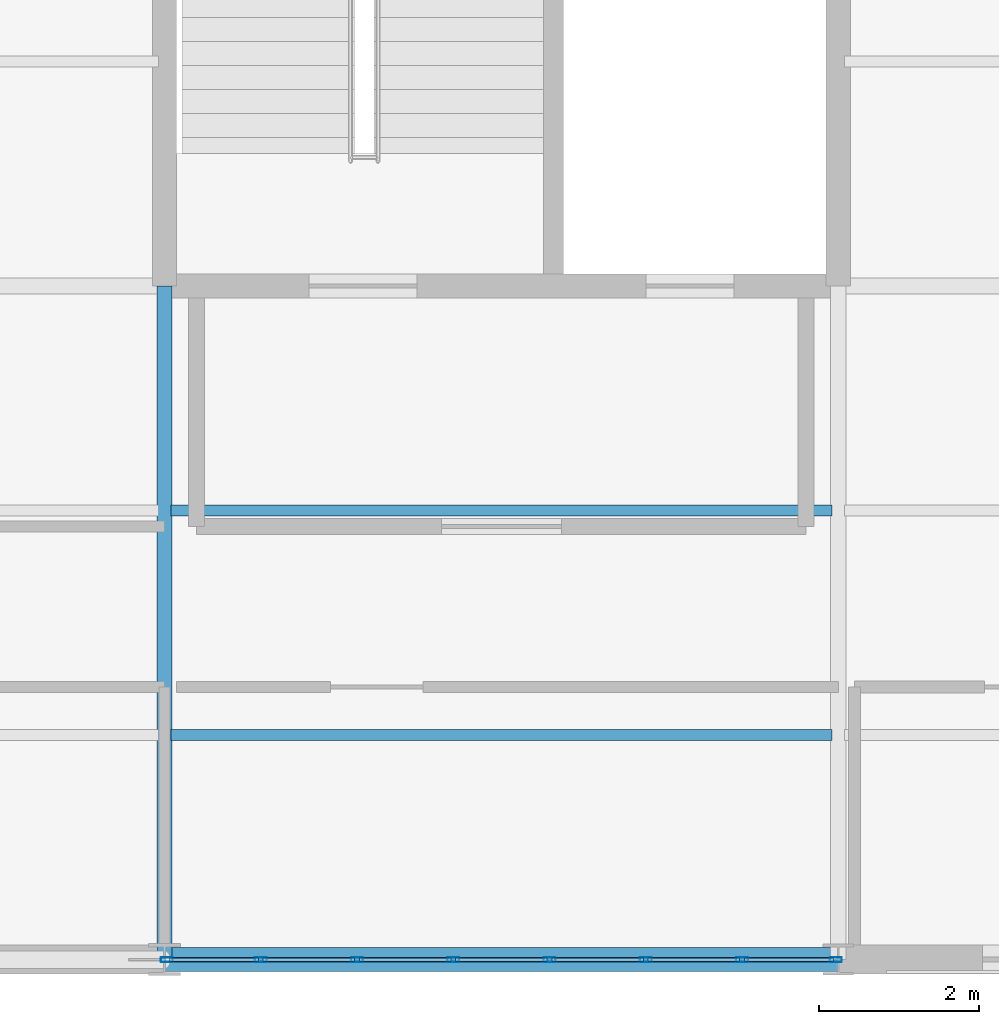
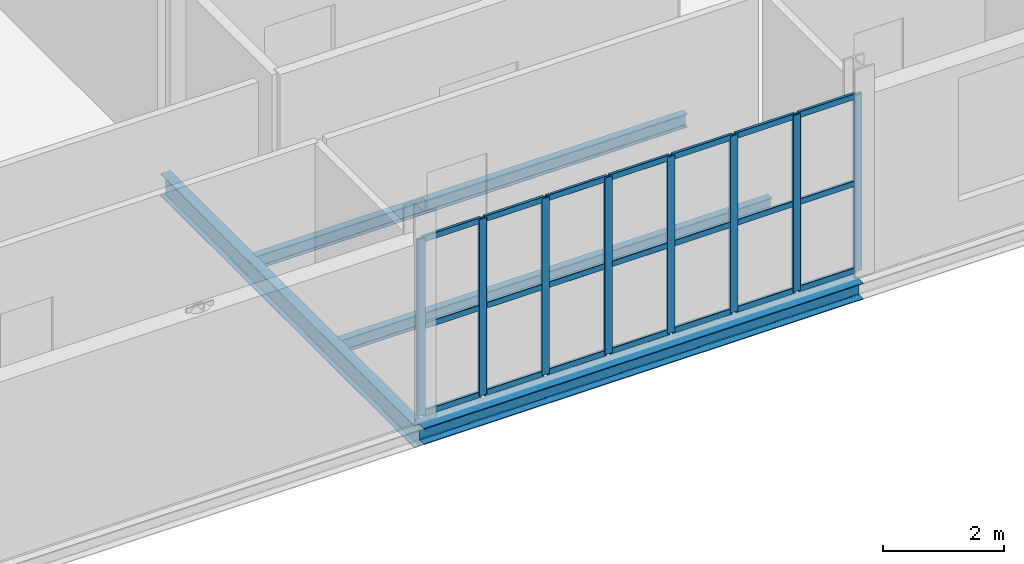
# One storey, part 34 of 163: 29 members, 4 beams, 1 element without a shape of its own.
"""IFC4 building model written with IfcOpenShell, lengths in metres."""

from ifc_helpers import new_model, si_unit, direction, frame, origin, origin_2d, place, context, subcontext, project, spatial, hollow_rectangle, i_section, extrude, material, layer, layer_set, material_profile, profile_set, type_object, element, aggregate, save


model = new_model("IFC4")

# Units and contexts
model_context = context("Model", 3, precision=1e-05, world=origin(), true_north=direction((0.0, 1.0)))
body_context = subcontext(model_context, "Body", "Model", "MODEL_VIEW")
ifc_project = project(units=[si_unit("LENGTHUNIT", "METRE"), si_unit("AREAUNIT", "SQUARE_METRE"), si_unit("VOLUMEUNIT", "CUBIC_METRE"), si_unit("PLANEANGLEUNIT", "RADIAN"), si_unit("MASSUNIT", "GRAM", prefix="KILO")], contexts=[model_context])

# Site, building, storey
site_placement = place(None, origin())
site = spatial("IfcSite", under=ifc_project, at=site_placement, CompositionType="ELEMENT")
building_placement = place(site_placement, origin())
building = spatial("IfcBuilding", under=site, at=building_placement, Name="Qalvenar Corner Mobility Hub", CompositionType="ELEMENT")
storey_placement = place(building_placement, frame((0.0, 0.0, 4.800048828125)))
storey = spatial("IfcBuildingStorey", under=building, at=storey_placement, Name="L01", CompositionType="ELEMENT", Elevation=4.800048828125)

# Beams
ifc_material_1 = material(Name="Steel S355", Category="steel")
ifc_material_profile_1 = material_profile(ifc_material_1, i_section(OverallWidth=0.18994140625, OverallDepth=0.449951171875, WebThickness=0.009521484375, FlangeThickness=0.0146484375, FilletRadius=0.02099609375, at=origin_2d()), Name="IPE450")
ifc_profile_set_1 = profile_set([ifc_material_profile_1], Name="Steel S355")
beam_type_1 = type_object("IfcBeamType", Name="BM-IPE450", PredefinedType="BEAM", material=ifc_profile_set_1)
beam_1_placement = place(storey_placement, frame((33.60009765625, 0.0, -0.405029296875), z_axis=(0.0, 1.0, 0.0), x_axis=(-1.0, 0.0, 0.0)))
element("IfcBeam", 1, at=beam_1_placement, inside=storey, type_object=beam_type_1, Name="Primary Steel Girder GY-0871", PredefinedType="BEAM", context=body_context, shape_type="SweptSolid", body=[
    extrude(i_section(OverallWidth=0.18994140625, OverallDepth=0.449951171875, WebThickness=0.009521484375, FlangeThickness=0.0146484375, FilletRadius=0.02099609375, at=origin_2d()), origin(), (0.0, 0.0, 1.0), 8.39990234375),
])
ifc_material_profile_2 = material_profile(ifc_material_1, i_section(OverallWidth=0.135009765625, OverallDepth=0.27001953125, WebThickness=0.006591796875, FlangeThickness=0.01025390625, FilletRadius=0.014892578125, at=origin_2d()), Name="IPE270")
ifc_profile_set_2 = profile_set([ifc_material_profile_2], Name="Steel S355")
beam_type_2 = type_object("IfcBeamType", Name="BM-JST270", PredefinedType="JOIST", material=ifc_profile_set_2)
for number, where, z_axis, x_axis, name in (
    (2, (33.677978515625, 2.800048828125, -0.31494140625), (1.0, 0.0, 0.0), (0.0, 1.0, 0.0), "Composite Floor Joist J-0925"),
    (3, (33.677978515625, 5.60009765625, -0.31494140625), (1.0, 0.0, 0.0), (0.0, 1.0, 0.0), "Composite Floor Joist J-0926"),
):
    element("IfcBeam", number, at=place(storey_placement, frame(where, z_axis=z_axis, x_axis=x_axis)), inside=storey, type_object=beam_type_2, Name=name, PredefinedType="JOIST", context=body_context, shape_type="SweptSolid", body=[
        extrude(i_section(OverallWidth=0.135009765625, OverallDepth=0.27001953125, WebThickness=0.006591796875, FlangeThickness=0.01025390625, FilletRadius=0.014892578125, at=origin_2d()), origin(), (0.0, 0.0, 1.0), 8.244140625),
    ])
ifc_material_profile_3 = material_profile(ifc_material_1, i_section(OverallWidth=0.300048828125, OverallDepth=0.330078125, WebThickness=0.009521484375, FlangeThickness=0.0166015625, FilletRadius=0.027099609375, at=origin_2d()), Name="HEA340")
ifc_profile_set_3 = profile_set([ifc_material_profile_3], Name="Steel S355")
beam_type_3 = type_object("IfcBeamType", Name="BM-SPN340", PredefinedType="SPANDREL", material=ifc_profile_set_3)
beam_2_placement = place(storey_placement, frame((33.60009765625, 0.0, -0.344970703125), z_axis=(1.0, 0.0, 0.0), x_axis=(0.0, 1.0, 0.0)))
element("IfcBeam", 4, at=beam_2_placement, inside=storey, type_object=beam_type_3, Name="Primary Steel Girder GX-0819", PredefinedType="SPANDREL", context=body_context, shape_type="SweptSolid", body=[
    extrude(i_section(OverallWidth=0.300048828125, OverallDepth=0.330078125, WebThickness=0.009521484375, FlangeThickness=0.0166015625, FilletRadius=0.027099609375, at=origin_2d()), origin(), (0.0, 0.0, 1.0), 8.39990234375),
])

# Curtain wall, members
ifc_material_2 = material(Name="Anodised Aluminium and Low-E Glazing", Category="aluminium")
ifc_layer = layer(ifc_material_2, 0.14990234375)
ifc_layer_set = layer_set([ifc_layer], Name="Anodised Aluminium and Low-E Glazing")
curtain_wall_type = type_object("IfcCurtainWallType", Name="CW-CIV-84X40", PredefinedType="NOTDEFINED", material=ifc_layer_set)
curtain_wall_placement = place(storey_placement, origin())
curtain_wall = element("IfcCurtainWall", 5, at=curtain_wall_placement, inside=storey, type_object=curtain_wall_type, Name="Glazed Curtain Wall CW-V3-L01-S4", PredefinedType="NOTDEFINED")
ifc_material_3 = material(Name="Anodised Aluminium 6063-T6", Category="aluminium")
ifc_material_profile_4 = material_profile(ifc_material_3, hollow_rectangle(XDim=0.06005859375, YDim=0.14990234375, WallThickness=0.00390625, InnerFilletRadius=0.00390625, OuterFilletRadius=0.008056640625, at=origin_2d()), Name="RHS150x60x4")
ifc_profile_set_4 = profile_set([ifc_material_profile_4], Name="Anodised Aluminium 6063-T6")
member_type_1 = type_object("IfcMemberType", Name="CW-MUL150", PredefinedType="MULLION", material=ifc_profile_set_4)
member_1_placement = place(storey_placement, frame((33.6298828125, 0.0, 0.0), z_axis=(0.0, 0.0, 1.0), x_axis=(0.0, 1.0, 0.0)))
member_1 = element("IfcMember", 6, at=member_1_placement, type_object=member_type_1, Name="CW-05 mullion 1", PredefinedType="MULLION", context=body_context, shape_type="SweptSolid", body=[
    extrude(hollow_rectangle(XDim=0.06005859375, YDim=0.14990234375, WallThickness=0.00390625, InnerFilletRadius=0.00390625, OuterFilletRadius=0.008056640625, at=origin_2d()), origin(), (0.0, 0.0, 1.0), 3.570068359375),
])
member_2_placement = place(storey_placement, frame((34.800048828125, 0.0, 0.0), z_axis=(0.0, 0.0, 1.0), x_axis=(0.0, 1.0, 0.0)))
member_2 = element("IfcMember", 7, at=member_2_placement, type_object=member_type_1, Name="CW-05 mullion 2", PredefinedType="MULLION", context=body_context, shape_type="SweptSolid", body=[
    extrude(hollow_rectangle(XDim=0.06005859375, YDim=0.14990234375, WallThickness=0.00390625, InnerFilletRadius=0.00390625, OuterFilletRadius=0.008056640625, at=origin_2d()), origin(), (0.0, 0.0, 1.0), 3.570068359375),
])
member_3_placement = place(storey_placement, frame((36.0, 0.0, 0.0), z_axis=(0.0, 0.0, 1.0), x_axis=(0.0, 1.0, 0.0)))
member_3 = element("IfcMember", 8, at=member_3_placement, type_object=member_type_1, Name="CW-05 mullion 3", PredefinedType="MULLION", context=body_context, shape_type="SweptSolid", body=[
    extrude(hollow_rectangle(XDim=0.06005859375, YDim=0.14990234375, WallThickness=0.00390625, InnerFilletRadius=0.00390625, OuterFilletRadius=0.008056640625, at=origin_2d()), origin(), (0.0, 0.0, 1.0), 3.570068359375),
])
member_4_placement = place(storey_placement, frame((37.199951171875, 0.0, 0.0), z_axis=(0.0, 0.0, 1.0), x_axis=(0.0, 1.0, 0.0)))
member_4 = element("IfcMember", 9, at=member_4_placement, type_object=member_type_1, Name="CW-05 mullion 4", PredefinedType="MULLION", context=body_context, shape_type="SweptSolid", body=[
    extrude(hollow_rectangle(XDim=0.06005859375, YDim=0.14990234375, WallThickness=0.00390625, InnerFilletRadius=0.00390625, OuterFilletRadius=0.008056640625, at=origin_2d()), origin(), (0.0, 0.0, 1.0), 3.570068359375),
])
member_5_placement = place(storey_placement, frame((38.39990234375, 0.0, 0.0), z_axis=(0.0, 0.0, 1.0), x_axis=(0.0, 1.0, 0.0)))
member_5 = element("IfcMember", 10, at=member_5_placement, type_object=member_type_1, Name="CW-05 mullion 5", PredefinedType="MULLION", context=body_context, shape_type="SweptSolid", body=[
    extrude(hollow_rectangle(XDim=0.06005859375, YDim=0.14990234375, WallThickness=0.00390625, InnerFilletRadius=0.00390625, OuterFilletRadius=0.008056640625, at=origin_2d()), origin(), (0.0, 0.0, 1.0), 3.570068359375),
])
member_6_placement = place(storey_placement, frame((39.60009765625, 0.0, 0.0), z_axis=(0.0, 0.0, 1.0), x_axis=(0.0, 1.0, 0.0)))
member_6 = element("IfcMember", 11, at=member_6_placement, type_object=member_type_1, Name="CW-05 mullion 6", PredefinedType="MULLION", context=body_context, shape_type="SweptSolid", body=[
    extrude(hollow_rectangle(XDim=0.06005859375, YDim=0.14990234375, WallThickness=0.00390625, InnerFilletRadius=0.00390625, OuterFilletRadius=0.008056640625, at=origin_2d()), origin(), (0.0, 0.0, 1.0), 3.570068359375),
])
member_7_placement = place(storey_placement, frame((40.800048828125, 0.0, 0.0), z_axis=(0.0, 0.0, 1.0), x_axis=(0.0, 1.0, 0.0)))
member_7 = element("IfcMember", 12, at=member_7_placement, type_object=member_type_1, Name="CW-05 mullion 7", PredefinedType="MULLION", context=body_context, shape_type="SweptSolid", body=[
    extrude(hollow_rectangle(XDim=0.06005859375, YDim=0.14990234375, WallThickness=0.00390625, InnerFilletRadius=0.00390625, OuterFilletRadius=0.008056640625, at=origin_2d()), origin(), (0.0, 0.0, 1.0), 3.570068359375),
])
member_8_placement = place(storey_placement, frame((41.969970703125, 0.0, 0.0), z_axis=(0.0, 0.0, 1.0), x_axis=(0.0, 1.0, 0.0)))
member_8 = element("IfcMember", 13, at=member_8_placement, type_object=member_type_1, Name="CW-05 mullion 8", PredefinedType="MULLION", context=body_context, shape_type="SweptSolid", body=[
    extrude(hollow_rectangle(XDim=0.06005859375, YDim=0.14990234375, WallThickness=0.00390625, InnerFilletRadius=0.00390625, OuterFilletRadius=0.008056640625, at=origin_2d()), origin(), (0.0, 0.0, 1.0), 3.570068359375),
])
ifc_material_profile_5 = material_profile(ifc_material_3, hollow_rectangle(XDim=0.054931640625, YDim=0.1201171875, WallThickness=0.00341796875, InnerFilletRadius=0.00341796875, OuterFilletRadius=0.007080078125, at=origin_2d()), Name="RHS120x55x3.5")
ifc_profile_set_5 = profile_set([ifc_material_profile_5], Name="Anodised Aluminium 6063-T6")
member_type_2 = type_object("IfcMemberType", Name="CW-TRN120", PredefinedType="USERDEFINED", material=ifc_profile_set_5)
member_9_placement = place(storey_placement, frame((33.659912109375, 0.0, 0.02734375), z_axis=(1.0, 0.0, 0.0), x_axis=(0.0, 1.0, 0.0)))
member_9 = element("IfcMember", 14, at=member_9_placement, type_object=member_type_2, Name="CW-05 transom 1.1", ObjectType="TRANSOM", PredefinedType="USERDEFINED", context=body_context, shape_type="SweptSolid", body=[
    extrude(hollow_rectangle(XDim=0.054931640625, YDim=0.1201171875, WallThickness=0.00341796875, InnerFilletRadius=0.00341796875, OuterFilletRadius=0.007080078125, at=origin_2d()), origin(), (0.0, 0.0, 1.0), 1.110107421875),
])
member_10_placement = place(storey_placement, frame((33.659912109375, 0.0, 1.784912109375), z_axis=(1.0, 0.0, 0.0), x_axis=(0.0, 1.0, 0.0)))
member_10 = element("IfcMember", 15, at=member_10_placement, type_object=member_type_2, Name="CW-05 transom 1.2", ObjectType="TRANSOM", PredefinedType="USERDEFINED", context=body_context, shape_type="SweptSolid", body=[
    extrude(hollow_rectangle(XDim=0.054931640625, YDim=0.1201171875, WallThickness=0.00341796875, InnerFilletRadius=0.00341796875, OuterFilletRadius=0.007080078125, at=origin_2d()), origin(), (0.0, 0.0, 1.0), 1.110107421875),
])
member_11_placement = place(storey_placement, frame((33.659912109375, 0.0, 3.54248046875), z_axis=(1.0, 0.0, 0.0), x_axis=(0.0, 1.0, 0.0)))
member_11 = element("IfcMember", 16, at=member_11_placement, type_object=member_type_2, Name="CW-05 transom 1.3", ObjectType="TRANSOM", PredefinedType="USERDEFINED", context=body_context, shape_type="SweptSolid", body=[
    extrude(hollow_rectangle(XDim=0.054931640625, YDim=0.1201171875, WallThickness=0.00341796875, InnerFilletRadius=0.00341796875, OuterFilletRadius=0.007080078125, at=origin_2d()), origin(), (0.0, 0.0, 1.0), 1.110107421875),
])
member_12_placement = place(storey_placement, frame((34.830078125, 0.0, 0.02734375), z_axis=(1.0, 0.0, 0.0), x_axis=(0.0, 1.0, 0.0)))
member_12 = element("IfcMember", 17, at=member_12_placement, type_object=member_type_2, Name="CW-05 transom 2.1", ObjectType="TRANSOM", PredefinedType="USERDEFINED", context=body_context, shape_type="SweptSolid", body=[
    extrude(hollow_rectangle(XDim=0.054931640625, YDim=0.1201171875, WallThickness=0.00341796875, InnerFilletRadius=0.00341796875, OuterFilletRadius=0.007080078125, at=origin_2d()), origin(), (0.0, 0.0, 1.0), 1.139892578125),
])
member_13_placement = place(storey_placement, frame((34.830078125, 0.0, 1.784912109375), z_axis=(1.0, 0.0, 0.0), x_axis=(0.0, 1.0, 0.0)))
member_13 = element("IfcMember", 18, at=member_13_placement, type_object=member_type_2, Name="CW-05 transom 2.2", ObjectType="TRANSOM", PredefinedType="USERDEFINED", context=body_context, shape_type="SweptSolid", body=[
    extrude(hollow_rectangle(XDim=0.054931640625, YDim=0.1201171875, WallThickness=0.00341796875, InnerFilletRadius=0.00341796875, OuterFilletRadius=0.007080078125, at=origin_2d()), origin(), (0.0, 0.0, 1.0), 1.139892578125),
])
member_14_placement = place(storey_placement, frame((34.830078125, 0.0, 3.54248046875), z_axis=(1.0, 0.0, 0.0), x_axis=(0.0, 1.0, 0.0)))
member_14 = element("IfcMember", 19, at=member_14_placement, type_object=member_type_2, Name="CW-05 transom 2.3", ObjectType="TRANSOM", PredefinedType="USERDEFINED", context=body_context, shape_type="SweptSolid", body=[
    extrude(hollow_rectangle(XDim=0.054931640625, YDim=0.1201171875, WallThickness=0.00341796875, InnerFilletRadius=0.00341796875, OuterFilletRadius=0.007080078125, at=origin_2d()), origin(), (0.0, 0.0, 1.0), 1.139892578125),
])
member_15_placement = place(storey_placement, frame((36.030029296875, 0.0, 0.02734375), z_axis=(1.0, 0.0, 0.0), x_axis=(0.0, 1.0, 0.0)))
member_15 = element("IfcMember", 20, at=member_15_placement, type_object=member_type_2, Name="CW-05 transom 3.1", ObjectType="TRANSOM", PredefinedType="USERDEFINED", context=body_context, shape_type="SweptSolid", body=[
    extrude(hollow_rectangle(XDim=0.054931640625, YDim=0.1201171875, WallThickness=0.00341796875, InnerFilletRadius=0.00341796875, OuterFilletRadius=0.007080078125, at=origin_2d()), origin(), (0.0, 0.0, 1.0), 1.139892578125),
])
member_16_placement = place(storey_placement, frame((36.030029296875, 0.0, 1.784912109375), z_axis=(1.0, 0.0, 0.0), x_axis=(0.0, 1.0, 0.0)))
member_16 = element("IfcMember", 21, at=member_16_placement, type_object=member_type_2, Name="CW-05 transom 3.2", ObjectType="TRANSOM", PredefinedType="USERDEFINED", context=body_context, shape_type="SweptSolid", body=[
    extrude(hollow_rectangle(XDim=0.054931640625, YDim=0.1201171875, WallThickness=0.00341796875, InnerFilletRadius=0.00341796875, OuterFilletRadius=0.007080078125, at=origin_2d()), origin(), (0.0, 0.0, 1.0), 1.139892578125),
])
member_17_placement = place(storey_placement, frame((36.030029296875, 0.0, 3.54248046875), z_axis=(1.0, 0.0, 0.0), x_axis=(0.0, 1.0, 0.0)))
member_17 = element("IfcMember", 22, at=member_17_placement, type_object=member_type_2, Name="CW-05 transom 3.3", ObjectType="TRANSOM", PredefinedType="USERDEFINED", context=body_context, shape_type="SweptSolid", body=[
    extrude(hollow_rectangle(XDim=0.054931640625, YDim=0.1201171875, WallThickness=0.00341796875, InnerFilletRadius=0.00341796875, OuterFilletRadius=0.007080078125, at=origin_2d()), origin(), (0.0, 0.0, 1.0), 1.139892578125),
])
member_18_placement = place(storey_placement, frame((37.22998046875, 0.0, 0.02734375), z_axis=(1.0, 0.0, 0.0), x_axis=(0.0, 1.0, 0.0)))
member_18 = element("IfcMember", 23, at=member_18_placement, type_object=member_type_2, Name="CW-05 transom 4.1", ObjectType="TRANSOM", PredefinedType="USERDEFINED", context=body_context, shape_type="SweptSolid", body=[
    extrude(hollow_rectangle(XDim=0.054931640625, YDim=0.1201171875, WallThickness=0.00341796875, InnerFilletRadius=0.00341796875, OuterFilletRadius=0.007080078125, at=origin_2d()), origin(), (0.0, 0.0, 1.0), 1.14013671875),
])
member_19_placement = place(storey_placement, frame((37.22998046875, 0.0, 1.784912109375), z_axis=(1.0, 0.0, 0.0), x_axis=(0.0, 1.0, 0.0)))
member_19 = element("IfcMember", 24, at=member_19_placement, type_object=member_type_2, Name="CW-05 transom 4.2", ObjectType="TRANSOM", PredefinedType="USERDEFINED", context=body_context, shape_type="SweptSolid", body=[
    extrude(hollow_rectangle(XDim=0.054931640625, YDim=0.1201171875, WallThickness=0.00341796875, InnerFilletRadius=0.00341796875, OuterFilletRadius=0.007080078125, at=origin_2d()), origin(), (0.0, 0.0, 1.0), 1.14013671875),
])
member_20_placement = place(storey_placement, frame((37.22998046875, 0.0, 3.54248046875), z_axis=(1.0, 0.0, 0.0), x_axis=(0.0, 1.0, 0.0)))
member_20 = element("IfcMember", 25, at=member_20_placement, type_object=member_type_2, Name="CW-05 transom 4.3", ObjectType="TRANSOM", PredefinedType="USERDEFINED", context=body_context, shape_type="SweptSolid", body=[
    extrude(hollow_rectangle(XDim=0.054931640625, YDim=0.1201171875, WallThickness=0.00341796875, InnerFilletRadius=0.00341796875, OuterFilletRadius=0.007080078125, at=origin_2d()), origin(), (0.0, 0.0, 1.0), 1.14013671875),
])
member_21_placement = place(storey_placement, frame((38.429931640625, 0.0, 0.02734375), z_axis=(1.0, 0.0, 0.0), x_axis=(0.0, 1.0, 0.0)))
member_21 = element("IfcMember", 26, at=member_21_placement, type_object=member_type_2, Name="CW-05 transom 5.1", ObjectType="TRANSOM", PredefinedType="USERDEFINED", context=body_context, shape_type="SweptSolid", body=[
    extrude(hollow_rectangle(XDim=0.054931640625, YDim=0.1201171875, WallThickness=0.00341796875, InnerFilletRadius=0.00341796875, OuterFilletRadius=0.007080078125, at=origin_2d()), origin(), (0.0, 0.0, 1.0), 1.14013671875),
])
member_22_placement = place(storey_placement, frame((38.429931640625, 0.0, 1.784912109375), z_axis=(1.0, 0.0, 0.0), x_axis=(0.0, 1.0, 0.0)))
member_22 = element("IfcMember", 27, at=member_22_placement, type_object=member_type_2, Name="CW-05 transom 5.2", ObjectType="TRANSOM", PredefinedType="USERDEFINED", context=body_context, shape_type="SweptSolid", body=[
    extrude(hollow_rectangle(XDim=0.054931640625, YDim=0.1201171875, WallThickness=0.00341796875, InnerFilletRadius=0.00341796875, OuterFilletRadius=0.007080078125, at=origin_2d()), origin(), (0.0, 0.0, 1.0), 1.14013671875),
])
member_23_placement = place(storey_placement, frame((38.429931640625, 0.0, 3.54248046875), z_axis=(1.0, 0.0, 0.0), x_axis=(0.0, 1.0, 0.0)))
member_23 = element("IfcMember", 28, at=member_23_placement, type_object=member_type_2, Name="CW-05 transom 5.3", ObjectType="TRANSOM", PredefinedType="USERDEFINED", context=body_context, shape_type="SweptSolid", body=[
    extrude(hollow_rectangle(XDim=0.054931640625, YDim=0.1201171875, WallThickness=0.00341796875, InnerFilletRadius=0.00341796875, OuterFilletRadius=0.007080078125, at=origin_2d()), origin(), (0.0, 0.0, 1.0), 1.14013671875),
])
member_24_placement = place(storey_placement, frame((39.6298828125, 0.0, 0.02734375), z_axis=(1.0, 0.0, 0.0), x_axis=(0.0, 1.0, 0.0)))
member_24 = element("IfcMember", 29, at=member_24_placement, type_object=member_type_2, Name="CW-05 transom 6.1", ObjectType="TRANSOM", PredefinedType="USERDEFINED", context=body_context, shape_type="SweptSolid", body=[
    extrude(hollow_rectangle(XDim=0.054931640625, YDim=0.1201171875, WallThickness=0.00341796875, InnerFilletRadius=0.00341796875, OuterFilletRadius=0.007080078125, at=origin_2d()), origin(), (0.0, 0.0, 1.0), 1.14013671875),
])
member_25_placement = place(storey_placement, frame((39.6298828125, 0.0, 1.784912109375), z_axis=(1.0, 0.0, 0.0), x_axis=(0.0, 1.0, 0.0)))
member_25 = element("IfcMember", 30, at=member_25_placement, type_object=member_type_2, Name="CW-05 transom 6.2", ObjectType="TRANSOM", PredefinedType="USERDEFINED", context=body_context, shape_type="SweptSolid", body=[
    extrude(hollow_rectangle(XDim=0.054931640625, YDim=0.1201171875, WallThickness=0.00341796875, InnerFilletRadius=0.00341796875, OuterFilletRadius=0.007080078125, at=origin_2d()), origin(), (0.0, 0.0, 1.0), 1.14013671875),
])
member_26_placement = place(storey_placement, frame((39.6298828125, 0.0, 3.54248046875), z_axis=(1.0, 0.0, 0.0), x_axis=(0.0, 1.0, 0.0)))
member_26 = element("IfcMember", 31, at=member_26_placement, type_object=member_type_2, Name="CW-05 transom 6.3", ObjectType="TRANSOM", PredefinedType="USERDEFINED", context=body_context, shape_type="SweptSolid", body=[
    extrude(hollow_rectangle(XDim=0.054931640625, YDim=0.1201171875, WallThickness=0.00341796875, InnerFilletRadius=0.00341796875, OuterFilletRadius=0.007080078125, at=origin_2d()), origin(), (0.0, 0.0, 1.0), 1.14013671875),
])
member_27_placement = place(storey_placement, frame((40.830078125, 0.0, 0.02734375), z_axis=(1.0, 0.0, 0.0), x_axis=(0.0, 1.0, 0.0)))
member_27 = element("IfcMember", 32, at=member_27_placement, type_object=member_type_2, Name="CW-05 transom 7.1", ObjectType="TRANSOM", PredefinedType="USERDEFINED", context=body_context, shape_type="SweptSolid", body=[
    extrude(hollow_rectangle(XDim=0.054931640625, YDim=0.1201171875, WallThickness=0.00341796875, InnerFilletRadius=0.00341796875, OuterFilletRadius=0.007080078125, at=origin_2d()), origin(), (0.0, 0.0, 1.0), 1.10986328125),
])
member_28_placement = place(storey_placement, frame((40.830078125, 0.0, 1.784912109375), z_axis=(1.0, 0.0, 0.0), x_axis=(0.0, 1.0, 0.0)))
member_28 = element("IfcMember", 33, at=member_28_placement, type_object=member_type_2, Name="CW-05 transom 7.2", ObjectType="TRANSOM", PredefinedType="USERDEFINED", context=body_context, shape_type="SweptSolid", body=[
    extrude(hollow_rectangle(XDim=0.054931640625, YDim=0.1201171875, WallThickness=0.00341796875, InnerFilletRadius=0.00341796875, OuterFilletRadius=0.007080078125, at=origin_2d()), origin(), (0.0, 0.0, 1.0), 1.10986328125),
])
member_29_placement = place(storey_placement, frame((40.830078125, 0.0, 3.54248046875), z_axis=(1.0, 0.0, 0.0), x_axis=(0.0, 1.0, 0.0)))
member_29 = element("IfcMember", 34, at=member_29_placement, type_object=member_type_2, Name="CW-05 transom 7.3", ObjectType="TRANSOM", PredefinedType="USERDEFINED", context=body_context, shape_type="SweptSolid", body=[
    extrude(hollow_rectangle(XDim=0.054931640625, YDim=0.1201171875, WallThickness=0.00341796875, InnerFilletRadius=0.00341796875, OuterFilletRadius=0.007080078125, at=origin_2d()), origin(), (0.0, 0.0, 1.0), 1.10986328125),
])
aggregate(curtain_wall, [member_1, member_2, member_3, member_4, member_5, member_6, member_7, member_8, member_9, member_10, member_11, member_12, member_13, member_14, member_15, member_16, member_17, member_18, member_19, member_20, member_21, member_22, member_23, member_24, member_25, member_26, member_27, member_28, member_29])

save(model, "model.ifc")
